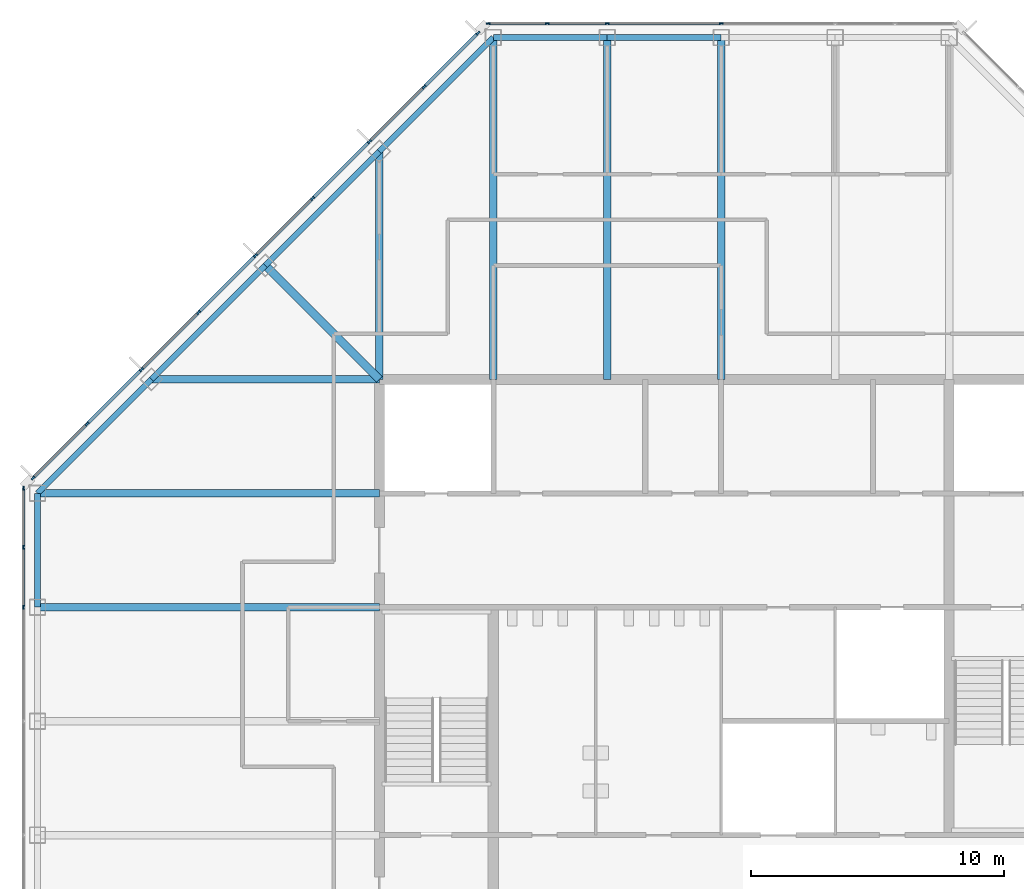
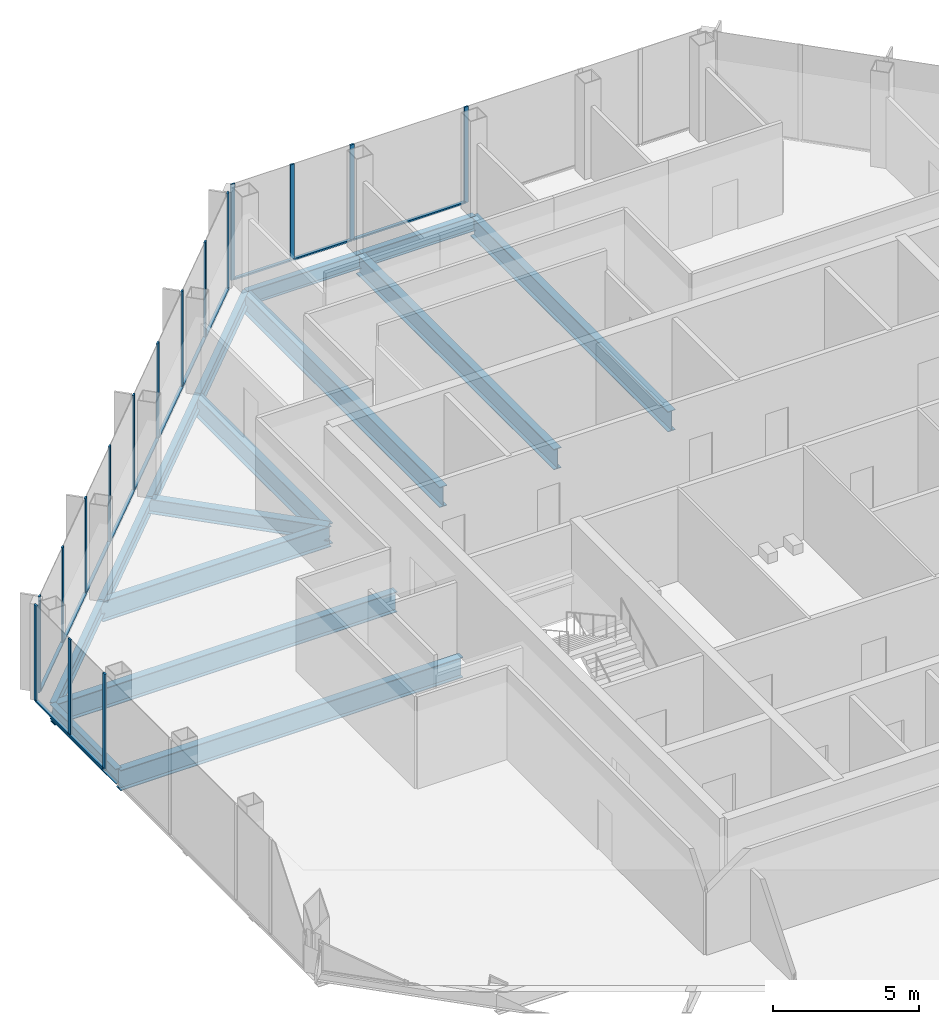
# One storey, part 6 of 14: 29 members, 15 beams, 3 elements without a shape of their own.
"""IFC4 building model written with IfcOpenShell, lengths in metres."""

from ifc_helpers import new_model, si_unit, direction, frame, origin, origin_2d, place, context, subcontext, project, spatial, rectangle, i_section, extrude, material, material_profile, profile_set, type_object, element, aggregate, save


model = new_model("IFC4")

# Units and contexts
model_context = context("Model", 3, precision=1e-05, world=origin(), true_north=direction((0.0, 1.0)))
body_context = subcontext(model_context, "Body", "Model", "MODEL_VIEW")
ifc_project = project(units=[si_unit("LENGTHUNIT", "METRE"), si_unit("AREAUNIT", "SQUARE_METRE"), si_unit("VOLUMEUNIT", "CUBIC_METRE"), si_unit("PLANEANGLEUNIT", "RADIAN"), si_unit("MASSUNIT", "GRAM", prefix="KILO")], contexts=[model_context])

# Site, building, storey
site_placement = place(None, origin())
site = spatial("IfcSite", under=ifc_project, at=site_placement, CompositionType="ELEMENT")
building_placement = place(site_placement, origin())
building = spatial("IfcBuilding", under=site, at=building_placement, Name="Corais Broadcast Tower", CompositionType="ELEMENT")
storey_placement = place(building_placement, frame((0.0, 0.0, 246.60009765625)))
storey = spatial("IfcBuildingStorey", under=building, at=storey_placement, Name="L57", CompositionType="ELEMENT", Elevation=246.60009765625)

# Beams
ifc_material_1 = material(Name="Steel ASTM A572 Grade 50", Category="steel")
ifc_material_profile_1 = material_profile(ifc_material_1, i_section(OverallWidth=0.323974609375, OverallDepth=0.611083984375, WebThickness=0.0126953125, FlangeThickness=0.01904296875, at=origin_2d()), Name="W610x155")
ifc_profile_set_1 = profile_set([ifc_material_profile_1], Name="Steel ASTM A572 Grade 50")
beam_type_1 = type_object("IfcBeamType", Name="Corner diagonal W610x155", PredefinedType="BEAM", material=ifc_profile_set_1)
beam_1_placement = place(storey_placement, frame((9.0, 45.0, -0.465576171875), z_axis=(0.707106781187, -0.707106781187, 0.0), x_axis=(0.707106781187, 0.707106781187, 0.0)))
element("IfcBeam", 1, at=beam_1_placement, inside=storey, type_object=beam_type_1, Name="B6 L/5 to K/6", PredefinedType="BEAM", context=body_context, shape_type="SweptSolid", body=[
    extrude(i_section(OverallWidth=0.323974609375, OverallDepth=0.611083984375, WebThickness=0.0126953125, FlangeThickness=0.01904296875, at=origin_2d()), origin(), (0.0, 0.0, 1.0), 6.364013671875),
])
ifc_material_2 = material(Name="Steel ASTM A572 Grade 50", Category="steel")
ifc_material_profile_2 = material_profile(ifc_material_2, i_section(OverallWidth=0.2939453125, OverallDepth=0.85107421875, WebThickness=0.01611328125, FlangeThickness=0.02685546875, at=origin_2d()), Name="W840x226")
ifc_profile_set_2 = profile_set([ifc_material_profile_2], Name="Steel ASTM A572 Grade 50")
beam_type_2 = type_object("IfcBeamType", Name="Floor beam W840x226", PredefinedType="BEAM", material=ifc_profile_set_2)
for number, where, z_axis, x_axis, name in (
    (2, (0.0, 31.5, -0.585693359375), (1.0, 0.0, 0.0), (0.0, 1.0, 0.0), "B1 H/3 to H/6"),
    (3, (0.0, 36.0, -0.585693359375), (1.0, 0.0, 0.0), (0.0, 1.0, 0.0), "B1 J/3 to J/6"),
):
    element("IfcBeam", number, at=place(storey_placement, frame(where, z_axis=z_axis, x_axis=x_axis)), inside=storey, type_object=beam_type_2, Name=name, PredefinedType="BEAM", context=body_context, shape_type="SweptSolid", body=[
        extrude(i_section(OverallWidth=0.2939453125, OverallDepth=0.85107421875, WebThickness=0.01611328125, FlangeThickness=0.02685546875, at=origin_2d()), origin(), (0.0, 0.0, 1.0), 13.5),
    ])
beam_2_placement = place(storey_placement, frame((13.5, 49.5, -0.585693359375), z_axis=(0.0, -1.0, 0.0), x_axis=(1.0, 0.0, 0.0)))
element("IfcBeam", 4, at=beam_2_placement, inside=storey, type_object=beam_type_2, Name="B1 M/6 to K/6", PredefinedType="BEAM", context=body_context, shape_type="SweptSolid", body=[
    extrude(i_section(OverallWidth=0.2939453125, OverallDepth=0.85107421875, WebThickness=0.01611328125, FlangeThickness=0.02685546875, at=origin_2d()), origin(), (0.0, 0.0, 1.0), 9.0),
])
for number, where, z_axis, x_axis, name in (
    (5, (18.0, 54.0, -0.585693359375), (0.0, -1.0, 0.0), (1.0, 0.0, 0.0), "B1 N/7 to K/7"),
    (6, (22.5, 54.0, -0.585693359375), (0.0, -1.0, 0.0), (1.0, 0.0, 0.0), "B1 N/8 to K/8"),
    (7, (27.0, 54.0, -0.585693359375), (0.0, -1.0, 0.0), (1.0, 0.0, 0.0), "B1 N/9 to K/9"),
):
    element("IfcBeam", number, at=place(storey_placement, frame(where, z_axis=z_axis, x_axis=x_axis)), inside=storey, type_object=beam_type_2, Name=name, PredefinedType="BEAM", context=body_context, shape_type="SweptSolid", body=[
        extrude(i_section(OverallWidth=0.2939453125, OverallDepth=0.85107421875, WebThickness=0.01611328125, FlangeThickness=0.02685546875, at=origin_2d()), origin(), (0.0, 0.0, 1.0), 13.5),
    ])
beam_3_placement = place(storey_placement, frame((4.5, 40.5, -0.585693359375), z_axis=(1.0, 0.0, 0.0), x_axis=(0.0, 1.0, 0.0)))
element("IfcBeam", 8, at=beam_3_placement, inside=storey, type_object=beam_type_2, Name="B1 K/4 to K/6", PredefinedType="BEAM", context=body_context, shape_type="SweptSolid", body=[
    extrude(i_section(OverallWidth=0.2939453125, OverallDepth=0.85107421875, WebThickness=0.01611328125, FlangeThickness=0.02685546875, at=origin_2d()), origin(), (0.0, 0.0, 1.0), 9.0),
])

# Curtain wall, members
ifc_material_3 = material(Name="Aluminium and glass", Category="aluminium")
curtain_wall_type = type_object("IfcCurtainWallType", Name="Unitised fritted curtain wall CW3", PredefinedType="NOTDEFINED", material=ifc_material_3)
curtain_wall_1_placement = place(storey_placement, origin())
curtain_wall_1 = element("IfcCurtainWall", 9, at=curtain_wall_1_placement, inside=storey, type_object=curtain_wall_type, Name="CW3 curtain wall L57 2", PredefinedType="NOTDEFINED")
ifc_material_4 = material(Name="Aluminium 6063-T6", Category="aluminium")
ifc_material_profile_3 = material_profile(ifc_material_4, rectangle(XDim=0.06494140625, YDim=0.159912109375, at=origin_2d()), Name="Mullion CW3 65x160")
ifc_profile_set_3 = profile_set([ifc_material_profile_3], Name="Aluminium 6063-T6")
member_type_1 = type_object("IfcMemberType", Name="Mullion CW3 65x160", PredefinedType="MULLION", material=ifc_profile_set_3)
member_1_placement = place(storey_placement, frame((-0.550048828125, 31.5, 0.0), z_axis=(0.0, 0.0, 1.0), x_axis=(-1.0, 0.0, 0.0)))
member_1 = element("IfcMember", 10, at=member_1_placement, type_object=member_type_1, Name="CW3 mullion 5", PredefinedType="MULLION", context=body_context, shape_type="SweptSolid", body=[
    extrude(rectangle(XDim=0.06494140625, YDim=0.159912109375, at=origin_2d()), origin(), (0.0, 0.0, 1.0), 4.0),
])
member_2_placement = place(storey_placement, frame((-0.550048828125, 33.864013671875, 0.0), z_axis=(0.0, 0.0, 1.0), x_axis=(-1.0, 0.0, 0.0)))
member_2 = element("IfcMember", 11, at=member_2_placement, type_object=member_type_1, Name="CW3 mullion 6", PredefinedType="MULLION", context=body_context, shape_type="SweptSolid", body=[
    extrude(rectangle(XDim=0.06494140625, YDim=0.159912109375, at=origin_2d()), origin(), (0.0, 0.0, 1.0), 4.0),
])
member_3_placement = place(storey_placement, frame((-0.550048828125, 36.1953125, 0.0), z_axis=(0.0, 0.0, 1.0), x_axis=(-1.0, 0.0, 0.0)))
member_3 = element("IfcMember", 12, at=member_3_placement, type_object=member_type_1, Name="CW3 mullion 7", PredefinedType="MULLION", context=body_context, shape_type="SweptSolid", body=[
    extrude(rectangle(XDim=0.06494140625, YDim=0.159912109375, at=origin_2d()), origin(), (0.0, 0.0, 1.0), 4.0),
])

curtain_wall_2_placement = place(storey_placement, origin())
curtain_wall_2 = element("IfcCurtainWall", 13, at=curtain_wall_2_placement, inside=storey, type_object=curtain_wall_type, Name="CW3 curtain wall L57 3", PredefinedType="NOTDEFINED")
member_4_placement = place(storey_placement, frame((-0.17333984375, 36.6044921875, 0.0), z_axis=(0.0, 0.0, 1.0), x_axis=(-0.707106781187, 0.707106781187, 0.0)))
member_4 = element("IfcMember", 14, at=member_4_placement, type_object=member_type_1, Name="CW3 mullion 1", PredefinedType="MULLION", context=body_context, shape_type="SweptSolid", body=[
    extrude(rectangle(XDim=0.06494140625, YDim=0.159912109375, at=origin_2d()), origin(), (0.0, 0.0, 1.0), 4.0),
])
member_5_placement = place(storey_placement, frame((1.957275390625, 38.735107421875, 0.0), z_axis=(0.0, 0.0, 1.0), x_axis=(-0.707106781187, 0.707106781187, 0.0)))
member_5 = element("IfcMember", 15, at=member_5_placement, type_object=member_type_1, Name="CW3 mullion 2", PredefinedType="MULLION", context=body_context, shape_type="SweptSolid", body=[
    extrude(rectangle(XDim=0.06494140625, YDim=0.159912109375, at=origin_2d()), origin(), (0.0, 0.0, 1.0), 4.0),
])
member_6_placement = place(storey_placement, frame((4.111083984375, 40.888916015625, 0.0), z_axis=(0.0, 0.0, 1.0), x_axis=(-0.707106781187, 0.707106781187, 0.0)))
member_6 = element("IfcMember", 16, at=member_6_placement, type_object=member_type_1, Name="CW3 mullion 3", PredefinedType="MULLION", context=body_context, shape_type="SweptSolid", body=[
    extrude(rectangle(XDim=0.06494140625, YDim=0.159912109375, at=origin_2d()), origin(), (0.0, 0.0, 1.0), 4.0),
])
member_7_placement = place(storey_placement, frame((6.361083984375, 43.138916015625, 0.0), z_axis=(0.0, 0.0, 1.0), x_axis=(-0.707106781187, 0.707106781187, 0.0)))
member_7 = element("IfcMember", 17, at=member_7_placement, type_object=member_type_1, Name="CW3 mullion 4", PredefinedType="MULLION", context=body_context, shape_type="SweptSolid", body=[
    extrude(rectangle(XDim=0.06494140625, YDim=0.159912109375, at=origin_2d()), origin(), (0.0, 0.0, 1.0), 4.0),
])
member_8_placement = place(storey_placement, frame((8.611083984375, 45.388916015625, 0.0), z_axis=(0.0, 0.0, 1.0), x_axis=(-0.707106781187, 0.707106781187, 0.0)))
member_8 = element("IfcMember", 18, at=member_8_placement, type_object=member_type_1, Name="CW3 mullion 5", PredefinedType="MULLION", context=body_context, shape_type="SweptSolid", body=[
    extrude(rectangle(XDim=0.06494140625, YDim=0.159912109375, at=origin_2d()), origin(), (0.0, 0.0, 1.0), 4.0),
])
member_9_placement = place(storey_placement, frame((10.861083984375, 47.638916015625, 0.0), z_axis=(0.0, 0.0, 1.0), x_axis=(-0.707106781187, 0.707106781187, 0.0)))
member_9 = element("IfcMember", 19, at=member_9_placement, type_object=member_type_1, Name="CW3 mullion 6", PredefinedType="MULLION", context=body_context, shape_type="SweptSolid", body=[
    extrude(rectangle(XDim=0.06494140625, YDim=0.159912109375, at=origin_2d()), origin(), (0.0, 0.0, 1.0), 4.0),
])
member_10_placement = place(storey_placement, frame((13.111083984375, 49.888916015625, 0.0), z_axis=(0.0, 0.0, 1.0), x_axis=(-0.707106781187, 0.707106781187, 0.0)))
member_10 = element("IfcMember", 20, at=member_10_placement, type_object=member_type_1, Name="CW3 mullion 7", PredefinedType="MULLION", context=body_context, shape_type="SweptSolid", body=[
    extrude(rectangle(XDim=0.06494140625, YDim=0.159912109375, at=origin_2d()), origin(), (0.0, 0.0, 1.0), 4.0),
])
member_11_placement = place(storey_placement, frame((15.264892578125, 52.042724609375, 0.0), z_axis=(0.0, 0.0, 1.0), x_axis=(-0.707106781187, 0.707106781187, 0.0)))
member_11 = element("IfcMember", 21, at=member_11_placement, type_object=member_type_1, Name="CW3 mullion 8", PredefinedType="MULLION", context=body_context, shape_type="SweptSolid", body=[
    extrude(rectangle(XDim=0.06494140625, YDim=0.159912109375, at=origin_2d()), origin(), (0.0, 0.0, 1.0), 4.0),
])
member_12_placement = place(storey_placement, frame((17.3955078125, 54.17333984375, 0.0), z_axis=(0.0, 0.0, 1.0), x_axis=(-0.707106781187, 0.707106781187, 0.0)))
member_12 = element("IfcMember", 22, at=member_12_placement, type_object=member_type_1, Name="CW3 mullion 9", PredefinedType="MULLION", context=body_context, shape_type="SweptSolid", body=[
    extrude(rectangle(XDim=0.06494140625, YDim=0.159912109375, at=origin_2d()), origin(), (0.0, 0.0, 1.0), 4.0),
])

curtain_wall_3_placement = place(storey_placement, origin())
curtain_wall_3 = element("IfcCurtainWall", 23, at=curtain_wall_3_placement, inside=storey, type_object=curtain_wall_type, Name="CW3 curtain wall L57 4", PredefinedType="NOTDEFINED")
member_13_placement = place(storey_placement, frame((17.8046875, 54.550048828125, 0.0), z_axis=(0.0, 0.0, 1.0), x_axis=(0.0, 1.0, 0.0)))
member_13 = element("IfcMember", 24, at=member_13_placement, type_object=member_type_1, Name="CW3 mullion 1", PredefinedType="MULLION", context=body_context, shape_type="SweptSolid", body=[
    extrude(rectangle(XDim=0.06494140625, YDim=0.159912109375, at=origin_2d()), origin(), (0.0, 0.0, 1.0), 4.0),
])
member_14_placement = place(storey_placement, frame((20.135986328125, 54.550048828125, 0.0), z_axis=(0.0, 0.0, 1.0), x_axis=(0.0, 1.0, 0.0)))
member_14 = element("IfcMember", 25, at=member_14_placement, type_object=member_type_1, Name="CW3 mullion 2", PredefinedType="MULLION", context=body_context, shape_type="SweptSolid", body=[
    extrude(rectangle(XDim=0.06494140625, YDim=0.159912109375, at=origin_2d()), origin(), (0.0, 0.0, 1.0), 4.0),
])
member_15_placement = place(storey_placement, frame((22.5, 54.550048828125, 0.0), z_axis=(0.0, 0.0, 1.0), x_axis=(0.0, 1.0, 0.0)))
member_15 = element("IfcMember", 26, at=member_15_placement, type_object=member_type_1, Name="CW3 mullion 3", PredefinedType="MULLION", context=body_context, shape_type="SweptSolid", body=[
    extrude(rectangle(XDim=0.06494140625, YDim=0.159912109375, at=origin_2d()), origin(), (0.0, 0.0, 1.0), 4.0),
])
member_16_placement = place(storey_placement, frame((27.0, 54.550048828125, 0.0), z_axis=(0.0, 0.0, 1.0), x_axis=(0.0, 1.0, 0.0)))
member_16 = element("IfcMember", 27, at=member_16_placement, type_object=member_type_1, Name="CW3 mullion 4", PredefinedType="MULLION", context=body_context, shape_type="SweptSolid", body=[
    extrude(rectangle(XDim=0.06494140625, YDim=0.159912109375, at=origin_2d()), origin(), (0.0, 0.0, 1.0), 4.0),
])

# Beams
ifc_material_5 = material(Name="Steel ASTM A572 Grade 50", Category="steel")
ifc_material_profile_4 = material_profile(ifc_material_5, i_section(OverallWidth=0.22998046875, OverallDepth=0.616943359375, WebThickness=0.01318359375, FlangeThickness=0.022216796875, at=origin_2d()), Name="W610x140")
ifc_profile_set_4 = profile_set([ifc_material_profile_4], Name="Steel ASTM A572 Grade 50")
beam_type_3 = type_object("IfcBeamType", Name="Spandrel W610x140", PredefinedType="BEAM", material=ifc_profile_set_4)
beam_4_placement = place(storey_placement, frame((0.0, 36.0, -0.468505859375), z_axis=(0.0, -1.0, 0.0), x_axis=(1.0, 0.0, 0.0)))
element("IfcBeam", 28, at=beam_4_placement, inside=storey, type_object=beam_type_3, Name="SB3 J/3 to H/3", PredefinedType="BEAM", context=body_context, shape_type="SweptSolid", body=[
    extrude(i_section(OverallWidth=0.22998046875, OverallDepth=0.616943359375, WebThickness=0.01318359375, FlangeThickness=0.022216796875, at=origin_2d()), origin(), (0.0, 0.0, 1.0), 4.5),
])
for number, where, z_axis, x_axis, name in (
    (29, (13.5, 49.5, -0.468505859375), (-0.707106781187, -0.707106781187, 0.0), (0.707106781187, -0.707106781187, 0.0), "SB3 M/6 to L/5"),
    (30, (18.0, 54.0, -0.468505859375), (-0.707106781187, -0.707106781187, 0.0), (0.707106781187, -0.707106781187, 0.0), "SB3 N/7 to M/6"),
):
    element("IfcBeam", number, at=place(storey_placement, frame(where, z_axis=z_axis, x_axis=x_axis)), inside=storey, type_object=beam_type_3, Name=name, PredefinedType="BEAM", context=body_context, shape_type="SweptSolid", body=[
        extrude(i_section(OverallWidth=0.22998046875, OverallDepth=0.616943359375, WebThickness=0.01318359375, FlangeThickness=0.022216796875, at=origin_2d()), origin(), (0.0, 0.0, 1.0), 6.364013671875),
    ])
for number, where, z_axis, x_axis, name in (
    (31, (22.5, 54.0, -0.468505859375), (-1.0, 0.0, 0.0), (0.0, -1.0, 0.0), "SB3 N/8 to N/7"),
    (32, (27.0, 54.0, -0.468505859375), (-1.0, 0.0, 0.0), (0.0, -1.0, 0.0), "SB3 N/9 to N/8"),
):
    element("IfcBeam", number, at=place(storey_placement, frame(where, z_axis=z_axis, x_axis=x_axis)), inside=storey, type_object=beam_type_3, Name=name, PredefinedType="BEAM", context=body_context, shape_type="SweptSolid", body=[
        extrude(i_section(OverallWidth=0.22998046875, OverallDepth=0.616943359375, WebThickness=0.01318359375, FlangeThickness=0.022216796875, at=origin_2d()), origin(), (0.0, 0.0, 1.0), 4.5),
    ])
for number, where, z_axis, x_axis, name in (
    (33, (4.5, 40.5, -0.468505859375), (-0.707106781187, -0.707106781187, 0.0), (0.707106781187, -0.707106781187, 0.0), "SB3 K/4 to J/3"),
    (34, (9.0, 45.0, -0.468505859375), (-0.707106781187, -0.707106781187, 0.0), (0.707106781187, -0.707106781187, 0.0), "SB3 L/5 to K/4"),
):
    element("IfcBeam", number, at=place(storey_placement, frame(where, z_axis=z_axis, x_axis=x_axis)), inside=storey, type_object=beam_type_3, Name=name, PredefinedType="BEAM", context=body_context, shape_type="SweptSolid", body=[
        extrude(i_section(OverallWidth=0.22998046875, OverallDepth=0.616943359375, WebThickness=0.01318359375, FlangeThickness=0.022216796875, at=origin_2d()), origin(), (0.0, 0.0, 1.0), 6.364013671875),
    ])

# Member
ifc_material_6 = material(Name="Aluminium 6063-T6", Category="aluminium")
ifc_material_profile_5 = material_profile(ifc_material_6, rectangle(XDim=0.1201171875, YDim=0.06494140625, at=origin_2d()), Name="Transom CW3 65x120")
ifc_profile_set_5 = profile_set([ifc_material_profile_5], Name="Aluminium 6063-T6")
member_type_2 = type_object("IfcMemberType", Name="Transom CW3 65x120", PredefinedType="USERDEFINED", material=ifc_profile_set_5)
member_17_placement = place(storey_placement, frame((-0.550048828125, 31.532470703125, 0.032470703125), z_axis=(0.0, 1.0, 0.0), x_axis=(-1.0, 0.0, 0.0)))
member_17 = element("IfcMember", 35, at=member_17_placement, type_object=member_type_2, Name="CW3 transom 5.1", ObjectType="TRANSOM", PredefinedType="USERDEFINED", context=body_context, shape_type="SweptSolid", body=[
    extrude(rectangle(XDim=0.1201171875, YDim=0.06494140625, at=origin_2d()), origin(), (0.0, 0.0, 1.0), 2.298828125),
])

member_18_placement = place(storey_placement, frame((-0.550048828125, 33.896484375, 0.032470703125), z_axis=(0.0, 1.0, 0.0), x_axis=(-1.0, 0.0, 0.0)))
member_18 = element("IfcMember", 36, at=member_18_placement, type_object=member_type_2, Name="CW3 transom 6.1", ObjectType="TRANSOM", PredefinedType="USERDEFINED", context=body_context, shape_type="SweptSolid", body=[
    extrude(rectangle(XDim=0.1201171875, YDim=0.06494140625, at=origin_2d()), origin(), (0.0, 0.0, 1.0), 2.266357421875),
])

aggregate(curtain_wall_1, [member_1, member_2, member_3, member_17, member_18])

member_19_placement = place(storey_placement, frame((-0.150390625, 36.62744140625, 0.032470703125), z_axis=(0.707106781187, 0.707106781187, 0.0), x_axis=(-0.707106781187, 0.707106781187, 0.0)))
member_19 = element("IfcMember", 37, at=member_19_placement, type_object=member_type_2, Name="CW3 transom 1.1", ObjectType="TRANSOM", PredefinedType="USERDEFINED", context=body_context, shape_type="SweptSolid", body=[
    extrude(rectangle(XDim=0.1201171875, YDim=0.06494140625, at=origin_2d()), origin(), (0.0, 0.0, 1.0), 2.9482421875),
])

member_20_placement = place(storey_placement, frame((1.980224609375, 38.758056640625, 0.032470703125), z_axis=(0.707106781187, 0.707106781187, 0.0), x_axis=(-0.707106781187, 0.707106781187, 0.0)))
member_20 = element("IfcMember", 38, at=member_20_placement, type_object=member_type_2, Name="CW3 transom 2.1", ObjectType="TRANSOM", PredefinedType="USERDEFINED", context=body_context, shape_type="SweptSolid", body=[
    extrude(rectangle(XDim=0.1201171875, YDim=0.06494140625, at=origin_2d()), origin(), (0.0, 0.0, 1.0), 2.98095703125),
])

member_21_placement = place(storey_placement, frame((4.134033203125, 40.911865234375, 0.032470703125), z_axis=(0.707106781187, 0.707106781187, 0.0), x_axis=(-0.707106781187, 0.707106781187, 0.0)))
member_21 = element("IfcMember", 39, at=member_21_placement, type_object=member_type_2, Name="CW3 transom 3.1", ObjectType="TRANSOM", PredefinedType="USERDEFINED", context=body_context, shape_type="SweptSolid", body=[
    extrude(rectangle(XDim=0.1201171875, YDim=0.06494140625, at=origin_2d()), origin(), (0.0, 0.0, 1.0), 3.1171875),
])

member_22_placement = place(storey_placement, frame((6.384033203125, 43.161865234375, 0.032470703125), z_axis=(0.707106781187, 0.707106781187, 0.0), x_axis=(-0.707106781187, 0.707106781187, 0.0)))
member_22 = element("IfcMember", 40, at=member_22_placement, type_object=member_type_2, Name="CW3 transom 4.1", ObjectType="TRANSOM", PredefinedType="USERDEFINED", context=body_context, shape_type="SweptSolid", body=[
    extrude(rectangle(XDim=0.1201171875, YDim=0.06494140625, at=origin_2d()), origin(), (0.0, 0.0, 1.0), 3.1171875),
])

member_23_placement = place(storey_placement, frame((8.634033203125, 45.411865234375, 0.032470703125), z_axis=(0.707106781187, 0.707106781187, 0.0), x_axis=(-0.707106781187, 0.707106781187, 0.0)))
member_23 = element("IfcMember", 41, at=member_23_placement, type_object=member_type_2, Name="CW3 transom 5.1", ObjectType="TRANSOM", PredefinedType="USERDEFINED", context=body_context, shape_type="SweptSolid", body=[
    extrude(rectangle(XDim=0.1201171875, YDim=0.06494140625, at=origin_2d()), origin(), (0.0, 0.0, 1.0), 3.1171875),
])

member_24_placement = place(storey_placement, frame((10.884033203125, 47.661865234375, 0.032470703125), z_axis=(0.707106781187, 0.707106781187, 0.0), x_axis=(-0.707106781187, 0.707106781187, 0.0)))
member_24 = element("IfcMember", 42, at=member_24_placement, type_object=member_type_2, Name="CW3 transom 6.1", ObjectType="TRANSOM", PredefinedType="USERDEFINED", context=body_context, shape_type="SweptSolid", body=[
    extrude(rectangle(XDim=0.1201171875, YDim=0.06494140625, at=origin_2d()), origin(), (0.0, 0.0, 1.0), 3.1171875),
])

member_25_placement = place(storey_placement, frame((13.134033203125, 49.911865234375, 0.032470703125), z_axis=(0.70714773134, 0.707065828661, 0.0), x_axis=(-0.707065828661, 0.70714773134, 0.0)))
member_25 = element("IfcMember", 43, at=member_25_placement, type_object=member_type_2, Name="CW3 transom 7.1", ObjectType="TRANSOM", PredefinedType="USERDEFINED", context=body_context, shape_type="SweptSolid", body=[
    extrude(rectangle(XDim=0.1201171875, YDim=0.06494140625, at=origin_2d()), origin(), (0.0, 0.0, 1.0), 2.98095703125),
])

member_26_placement = place(storey_placement, frame((15.287841796875, 52.065673828125, 0.032470703125), z_axis=(0.707106781187, 0.707106781187, 0.0), x_axis=(-0.707106781187, 0.707106781187, 0.0)))
member_26 = element("IfcMember", 44, at=member_26_placement, type_object=member_type_2, Name="CW3 transom 8.1", ObjectType="TRANSOM", PredefinedType="USERDEFINED", context=body_context, shape_type="SweptSolid", body=[
    extrude(rectangle(XDim=0.1201171875, YDim=0.06494140625, at=origin_2d()), origin(), (0.0, 0.0, 1.0), 2.9482421875),
])

aggregate(curtain_wall_2, [member_4, member_5, member_6, member_7, member_8, member_9, member_10, member_11, member_12, member_19, member_20, member_21, member_22, member_23, member_24, member_25, member_26])

member_27_placement = place(storey_placement, frame((17.837158203125, 54.550048828125, 0.032470703125), z_axis=(1.0, 0.0, 0.0), x_axis=(0.0, 1.0, 0.0)))
member_27 = element("IfcMember", 45, at=member_27_placement, type_object=member_type_2, Name="CW3 transom 1.1", ObjectType="TRANSOM", PredefinedType="USERDEFINED", context=body_context, shape_type="SweptSolid", body=[
    extrude(rectangle(XDim=0.1201171875, YDim=0.06494140625, at=origin_2d()), origin(), (0.0, 0.0, 1.0), 2.266357421875),
])

member_28_placement = place(storey_placement, frame((20.168701171875, 54.550048828125, 0.032470703125), z_axis=(1.0, 0.0, 0.0), x_axis=(0.0, 1.0, 0.0)))
member_28 = element("IfcMember", 46, at=member_28_placement, type_object=member_type_2, Name="CW3 transom 2.1", ObjectType="TRANSOM", PredefinedType="USERDEFINED", context=body_context, shape_type="SweptSolid", body=[
    extrude(rectangle(XDim=0.1201171875, YDim=0.06494140625, at=origin_2d()), origin(), (0.0, 0.0, 1.0), 2.298828125),
])

member_29_placement = place(storey_placement, frame((22.532470703125, 54.550048828125, 0.032470703125), z_axis=(1.0, 0.0, 0.0), x_axis=(0.0, 1.0, 0.0)))
member_29 = element("IfcMember", 47, at=member_29_placement, type_object=member_type_2, Name="CW3 transom 3.1", ObjectType="TRANSOM", PredefinedType="USERDEFINED", context=body_context, shape_type="SweptSolid", body=[
    extrude(rectangle(XDim=0.1201171875, YDim=0.06494140625, at=origin_2d()), origin(), (0.0, 0.0, 1.0), 4.43505859375),
])

aggregate(curtain_wall_3, [member_13, member_14, member_15, member_16, member_27, member_28, member_29])

save(model, "model.ifc")
